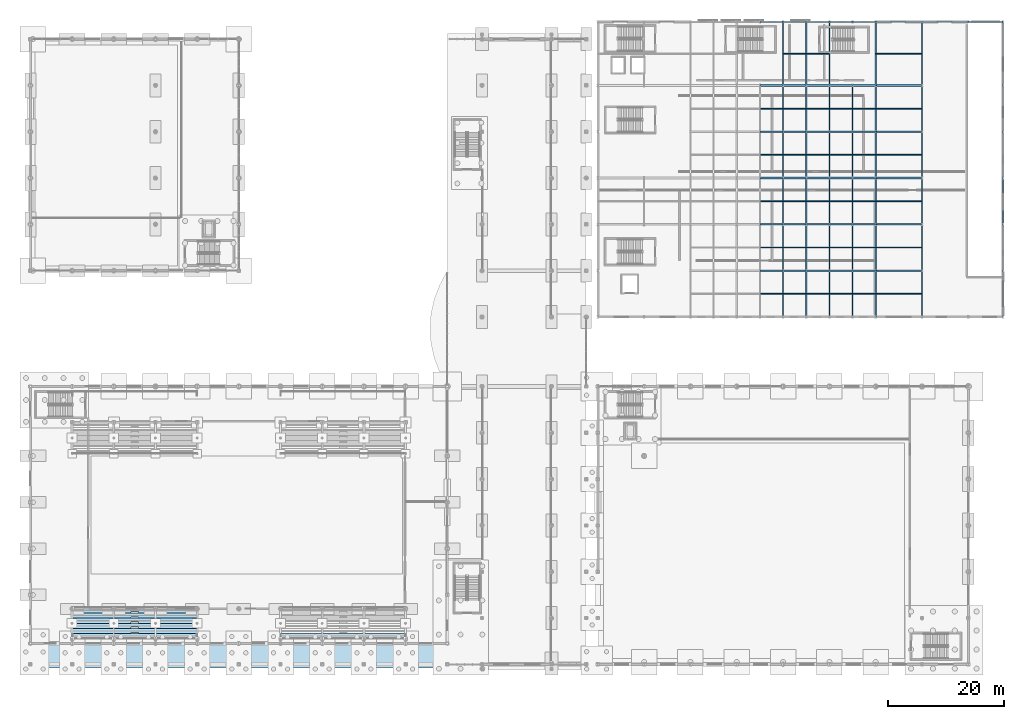
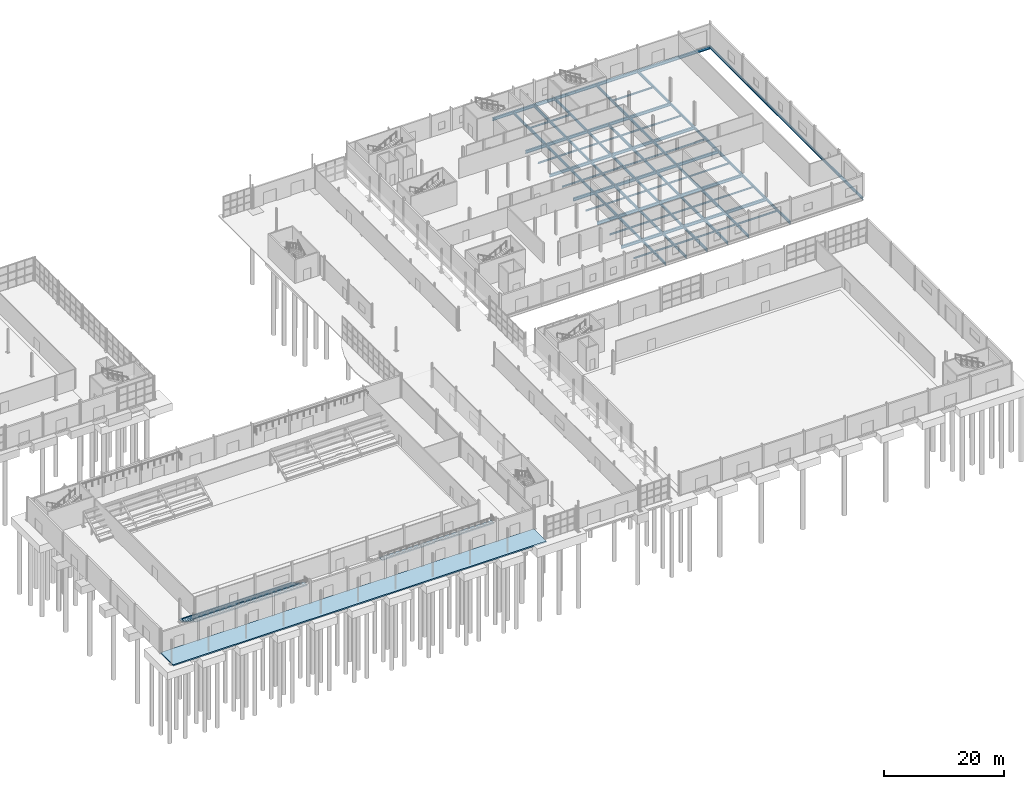
# One storey, part 62 of 101: 112 beams, 8 slabs.
"""IFC4 building model written with IfcOpenShell, lengths in metres."""

from ifc_helpers import new_model, si_unit, derived_unit, direction, frame, origin, origin_2d, place, context, subcontext, project, spatial, polyline, i_section, outline, extrude, material, layer, layer_set, material_profile, profile_set, type_object, element, save


model = new_model("IFC4")

# Units and contexts
model_context = context("Model", 3, precision=1e-05, world=origin(), true_north=direction((0.0, 1.0)))
body_context = subcontext(model_context, "Body", "Model", "MODEL_VIEW")
ifc_project = project(units=[si_unit("LENGTHUNIT", "METRE"), si_unit("AREAUNIT", "SQUARE_METRE"), si_unit("VOLUMEUNIT", "CUBIC_METRE"), si_unit("PLANEANGLEUNIT", "RADIAN"), si_unit("MASSUNIT", "GRAM", prefix="KILO"), derived_unit("THERMALTRANSMITTANCEUNIT", [(si_unit("POWERUNIT", "WATT"), 1), (si_unit("LENGTHUNIT", "METRE"), -2), (si_unit("THERMODYNAMICTEMPERATUREUNIT", "KELVIN"), -1)])], contexts=[model_context])

# Site, building, storey
site_placement = place(None, origin())
site = spatial("IfcSite", under=ifc_project, at=site_placement, CompositionType="ELEMENT")
building_placement = place(site_placement, origin())
building = spatial("IfcBuilding", under=site, at=building_placement, Name="Keldorne Ridge Multi-Sports Centre", CompositionType="ELEMENT")
storey_placement = place(building_placement, origin())
storey = spatial("IfcBuildingStorey", under=building, at=storey_placement, Name="L00", CompositionType="ELEMENT", Elevation=0.0)

# Beams
ifc_material_1 = material(Name="Steel S355", Category="steel")
ifc_material_profile_1 = material_profile(ifc_material_1, i_section(OverallWidth=0.2099609375, OverallDepth=0.550048828125, WebThickness=0.010986328125, FlangeThickness=0.01708984375, FilletRadius=0.02392578125, at=origin_2d()), Name="IPE 550")
ifc_profile_set_1 = profile_set([ifc_material_profile_1], Name="Steel S355")
beam_type_1 = type_object("IfcBeamType", Name="BM-B-01", PredefinedType="BEAM", material=ifc_profile_set_1)
for number, where, z_axis, x_axis, name in (
    (1, (136.0, 66.0, -0.544921875), (0.0, 1.0, 0.0), (-1.0, 0.0, 0.0), "L00 primary girder 136.1"),
    (2, (136.0, 74.0, -0.544921875), (0.0, 1.0, 0.0), (-1.0, 0.0, 0.0), "L00 primary girder 136.2"),
    (3, (136.0, 82.0, -0.544921875), (0.0, 1.0, 0.0), (-1.0, 0.0, 0.0), "L00 primary girder 136.3"),
    (4, (136.0, 90.0, -0.544921875), (0.0, 1.0, 0.0), (-1.0, 0.0, 0.0), "L00 primary girder 136.4"),
    (5, (136.0, 98.0, -0.544921875), (0.0, 1.0, 0.0), (-1.0, 0.0, 0.0), "L00 primary girder 136.5"),
):
    element("IfcBeam", number, at=place(storey_placement, frame(where, z_axis=z_axis, x_axis=x_axis)), inside=storey, type_object=beam_type_1, Name=name, PredefinedType="BEAM", context=body_context, shape_type="SweptSolid", body=[
        extrude(i_section(OverallWidth=0.2099609375, OverallDepth=0.550048828125, WebThickness=0.010986328125, FlangeThickness=0.01708984375, FilletRadius=0.02392578125, at=origin_2d()), origin(), (0.0, 0.0, 1.0), 8.0),
    ])
beam_1_placement = place(storey_placement, frame((136.0, 106.0, -0.544921875), z_axis=(0.0, 1.0, 0.0), x_axis=(-1.0, 0.0, 0.0)))
element("IfcBeam", 6, at=beam_1_placement, inside=storey, type_object=beam_type_1, Name="L00 primary girder 136.6", PredefinedType="BEAM", context=body_context, shape_type="SweptSolid", body=[
    extrude(i_section(OverallWidth=0.2099609375, OverallDepth=0.550048828125, WebThickness=0.010986328125, FlangeThickness=0.01708984375, FilletRadius=0.02392578125, at=origin_2d()), origin(), (0.0, 0.0, 1.0), 11.0),
])
for number, where, z_axis, x_axis, name in (
    (7, (140.0, 66.0, -0.544921875), (0.0, 1.0, 0.0), (-1.0, 0.0, 0.0), "L00 primary girder 140.1"),
    (8, (140.0, 74.0, -0.544921875), (0.0, 1.0, 0.0), (-1.0, 0.0, 0.0), "L00 primary girder 140.2"),
    (9, (140.0, 82.0, -0.544921875), (0.0, 1.0, 0.0), (-1.0, 0.0, 0.0), "L00 primary girder 140.3"),
    (10, (140.0, 90.0, -0.544921875), (0.0, 1.0, 0.0), (-1.0, 0.0, 0.0), "L00 primary girder 140.4"),
    (11, (140.0, 98.0, -0.544921875), (0.0, 1.0, 0.0), (-1.0, 0.0, 0.0), "L00 primary girder 140.5"),
):
    element("IfcBeam", number, at=place(storey_placement, frame(where, z_axis=z_axis, x_axis=x_axis)), inside=storey, type_object=beam_type_1, Name=name, PredefinedType="BEAM", context=body_context, shape_type="SweptSolid", body=[
        extrude(i_section(OverallWidth=0.2099609375, OverallDepth=0.550048828125, WebThickness=0.010986328125, FlangeThickness=0.01708984375, FilletRadius=0.02392578125, at=origin_2d()), origin(), (0.0, 0.0, 1.0), 8.0),
    ])
beam_2_placement = place(storey_placement, frame((140.0, 106.0, -0.544921875), z_axis=(0.0, 1.0, 0.0), x_axis=(-1.0, 0.0, 0.0)))
element("IfcBeam", 12, at=beam_2_placement, inside=storey, type_object=beam_type_1, Name="L00 primary girder 140.6", PredefinedType="BEAM", context=body_context, shape_type="SweptSolid", body=[
    extrude(i_section(OverallWidth=0.2099609375, OverallDepth=0.550048828125, WebThickness=0.010986328125, FlangeThickness=0.01708984375, FilletRadius=0.02392578125, at=origin_2d()), origin(), (0.0, 0.0, 1.0), 11.0),
])
for number, where, z_axis, x_axis, name in (
    (13, (144.0, 66.0, -0.544921875), (0.0, 1.0, 0.0), (-1.0, 0.0, 0.0), "L00 primary girder 144.1"),
    (14, (144.0, 74.0, -0.544921875), (0.0, 1.0, 0.0), (-1.0, 0.0, 0.0), "L00 primary girder 144.2"),
    (15, (144.0, 82.0, -0.544921875), (0.0, 1.0, 0.0), (-1.0, 0.0, 0.0), "L00 primary girder 144.3"),
    (16, (144.0, 90.0, -0.544921875), (0.0, 1.0, 0.0), (-1.0, 0.0, 0.0), "L00 primary girder 144.4"),
    (17, (144.0, 98.0, -0.544921875), (0.0, 1.0, 0.0), (-1.0, 0.0, 0.0), "L00 primary girder 144.5"),
):
    element("IfcBeam", number, at=place(storey_placement, frame(where, z_axis=z_axis, x_axis=x_axis)), inside=storey, type_object=beam_type_1, Name=name, PredefinedType="BEAM", context=body_context, shape_type="SweptSolid", body=[
        extrude(i_section(OverallWidth=0.2099609375, OverallDepth=0.550048828125, WebThickness=0.010986328125, FlangeThickness=0.01708984375, FilletRadius=0.02392578125, at=origin_2d()), origin(), (0.0, 0.0, 1.0), 8.0),
    ])
beam_3_placement = place(storey_placement, frame((144.0, 106.0, -0.544921875), z_axis=(0.0, 1.0, 0.0), x_axis=(-1.0, 0.0, 0.0)))
element("IfcBeam", 18, at=beam_3_placement, inside=storey, type_object=beam_type_1, Name="L00 primary girder 144.6", PredefinedType="BEAM", context=body_context, shape_type="SweptSolid", body=[
    extrude(i_section(OverallWidth=0.2099609375, OverallDepth=0.550048828125, WebThickness=0.010986328125, FlangeThickness=0.01708984375, FilletRadius=0.02392578125, at=origin_2d()), origin(), (0.0, 0.0, 1.0), 11.0),
])
for number, where, z_axis, x_axis, name in (
    (19, (148.0, 66.0, -0.544921875), (0.0, 1.0, 0.0), (-1.0, 0.0, 0.0), "L00 primary girder 148.1"),
    (20, (148.0, 74.0, -0.544921875), (0.0, 1.0, 0.0), (-1.0, 0.0, 0.0), "L00 primary girder 148.2"),
    (21, (148.0, 82.0, -0.544921875), (0.0, 1.0, 0.0), (-1.0, 0.0, 0.0), "L00 primary girder 148.3"),
    (22, (148.0, 90.0, -0.544921875), (0.0, 1.0, 0.0), (-1.0, 0.0, 0.0), "L00 primary girder 148.4"),
    (23, (148.0, 98.0, -0.544921875), (0.0, 1.0, 0.0), (-1.0, 0.0, 0.0), "L00 primary girder 148.5"),
    (24, (152.0, 66.0, -0.544921875), (0.0, 1.0, 0.0), (-1.0, 0.0, 0.0), "L00 primary girder 152.1"),
    (25, (152.0, 74.0, -0.544921875), (0.0, 1.0, 0.0), (-1.0, 0.0, 0.0), "L00 primary girder 152.2"),
    (26, (152.0, 82.0, -0.544921875), (0.0, 1.0, 0.0), (-1.0, 0.0, 0.0), "L00 primary girder 152.3"),
    (27, (152.0, 90.0, -0.544921875), (0.0, 1.0, 0.0), (-1.0, 0.0, 0.0), "L00 primary girder 152.4"),
    (28, (152.0, 98.0, -0.544921875), (0.0, 1.0, 0.0), (-1.0, 0.0, 0.0), "L00 primary girder 152.5"),
):
    element("IfcBeam", number, at=place(storey_placement, frame(where, z_axis=z_axis, x_axis=x_axis)), inside=storey, type_object=beam_type_1, Name=name, PredefinedType="BEAM", context=body_context, shape_type="SweptSolid", body=[
        extrude(i_section(OverallWidth=0.2099609375, OverallDepth=0.550048828125, WebThickness=0.010986328125, FlangeThickness=0.01708984375, FilletRadius=0.02392578125, at=origin_2d()), origin(), (0.0, 0.0, 1.0), 8.0),
    ])
beam_4_placement = place(storey_placement, frame((152.0, 106.0, -0.544921875), z_axis=(0.0, 1.0, 0.0), x_axis=(-1.0, 0.0, 0.0)))
element("IfcBeam", 29, at=beam_4_placement, inside=storey, type_object=beam_type_1, Name="L00 primary girder 152.6", PredefinedType="BEAM", context=body_context, shape_type="SweptSolid", body=[
    extrude(i_section(OverallWidth=0.2099609375, OverallDepth=0.550048828125, WebThickness=0.010986328125, FlangeThickness=0.01708984375, FilletRadius=0.02392578125, at=origin_2d()), origin(), (0.0, 0.0, 1.0), 11.0),
])
for number, where, z_axis, x_axis, name in (
    (30, (160.0, 66.0, -0.544921875), (0.0, 1.0, 0.0), (-1.0, 0.0, 0.0), "L00 primary girder 160.1"),
    (31, (160.0, 74.0, -0.544921875), (0.0, 1.0, 0.0), (-1.0, 0.0, 0.0), "L00 primary girder 160.2"),
    (32, (160.0, 82.0, -0.544921875), (0.0, 1.0, 0.0), (-1.0, 0.0, 0.0), "L00 primary girder 160.3"),
    (33, (160.0, 90.0, -0.544921875), (0.0, 1.0, 0.0), (-1.0, 0.0, 0.0), "L00 primary girder 160.4"),
    (34, (160.0, 98.0, -0.544921875), (0.0, 1.0, 0.0), (-1.0, 0.0, 0.0), "L00 primary girder 160.5"),
):
    element("IfcBeam", number, at=place(storey_placement, frame(where, z_axis=z_axis, x_axis=x_axis)), inside=storey, type_object=beam_type_1, Name=name, PredefinedType="BEAM", context=body_context, shape_type="SweptSolid", body=[
        extrude(i_section(OverallWidth=0.2099609375, OverallDepth=0.550048828125, WebThickness=0.010986328125, FlangeThickness=0.01708984375, FilletRadius=0.02392578125, at=origin_2d()), origin(), (0.0, 0.0, 1.0), 8.0),
    ])
beam_5_placement = place(storey_placement, frame((160.0, 106.0, -0.544921875), z_axis=(0.0, 1.0, 0.0), x_axis=(-1.0, 0.0, 0.0)))
element("IfcBeam", 35, at=beam_5_placement, inside=storey, type_object=beam_type_1, Name="L00 primary girder 160.6", PredefinedType="BEAM", context=body_context, shape_type="SweptSolid", body=[
    extrude(i_section(OverallWidth=0.2099609375, OverallDepth=0.550048828125, WebThickness=0.010986328125, FlangeThickness=0.01708984375, FilletRadius=0.02392578125, at=origin_2d()), origin(), (0.0, 0.0, 1.0), 11.0),
])
for number, where, z_axis, x_axis, name in (
    (36, (174.0, 66.0, -0.544921875), (0.0, 1.0, 0.0), (-1.0, 0.0, 0.0), "L00 primary girder 174.1"),
    (37, (174.0, 74.0, -0.544921875), (0.0, 1.0, 0.0), (-1.0, 0.0, 0.0), "L00 primary girder 174.2"),
    (38, (174.0, 82.0, -0.544921875), (0.0, 1.0, 0.0), (-1.0, 0.0, 0.0), "L00 primary girder 174.3"),
    (39, (174.0, 90.0, -0.544921875), (0.0, 1.0, 0.0), (-1.0, 0.0, 0.0), "L00 primary girder 174.4"),
    (40, (174.0, 98.0, -0.544921875), (0.0, 1.0, 0.0), (-1.0, 0.0, 0.0), "L00 primary girder 174.5"),
):
    element("IfcBeam", number, at=place(storey_placement, frame(where, z_axis=z_axis, x_axis=x_axis)), inside=storey, type_object=beam_type_1, Name=name, PredefinedType="BEAM", context=body_context, shape_type="SweptSolid", body=[
        extrude(i_section(OverallWidth=0.2099609375, OverallDepth=0.550048828125, WebThickness=0.010986328125, FlangeThickness=0.01708984375, FilletRadius=0.02392578125, at=origin_2d()), origin(), (0.0, 0.0, 1.0), 8.0),
    ])
beam_6_placement = place(storey_placement, frame((174.0, 106.0, -0.544921875), z_axis=(0.0, 1.0, 0.0), x_axis=(-1.0, 0.0, 0.0)))
element("IfcBeam", 41, at=beam_6_placement, inside=storey, type_object=beam_type_1, Name="L00 primary girder 174.6", PredefinedType="BEAM", context=body_context, shape_type="SweptSolid", body=[
    extrude(i_section(OverallWidth=0.2099609375, OverallDepth=0.550048828125, WebThickness=0.010986328125, FlangeThickness=0.01708984375, FilletRadius=0.02392578125, at=origin_2d()), origin(), (0.0, 0.0, 1.0), 11.0),
])
ifc_material_profile_2 = material_profile(ifc_material_1, i_section(OverallWidth=0.300048828125, OverallDepth=0.590087890625, WebThickness=0.012939453125, FlangeThickness=0.02490234375, FilletRadius=0.027099609375, at=origin_2d()), Name="HEA 600")
ifc_profile_set_2 = profile_set([ifc_material_profile_2], Name="Steel S355")
beam_type_2 = type_object("IfcBeamType", Name="BM-B-06", PredefinedType="BEAM", material=ifc_profile_set_2)
for number, where, z_axis, x_axis, name in (
    (42, (132.0, 74.0, -0.56494140625), (1.0, 0.0, 0.0), (0.0, 1.0, 0.0), "L00 primary beam 6.74"),
    (43, (136.0, 74.0, -0.56494140625), (1.0, 0.0, 0.0), (0.0, 1.0, 0.0), "L00 primary beam 7.74"),
    (44, (140.0, 74.0, -0.56494140625), (1.0, 0.0, 0.0), (0.0, 1.0, 0.0), "L00 primary beam 8.74"),
    (45, (144.0, 74.0, -0.56494140625), (1.0, 0.0, 0.0), (0.0, 1.0, 0.0), "L00 primary beam 9.74"),
    (46, (148.0, 74.0, -0.56494140625), (1.0, 0.0, 0.0), (0.0, 1.0, 0.0), "L00 primary beam 10.74"),
):
    element("IfcBeam", number, at=place(storey_placement, frame(where, z_axis=z_axis, x_axis=x_axis)), inside=storey, type_object=beam_type_2, Name=name, PredefinedType="BEAM", context=body_context, shape_type="SweptSolid", body=[
        extrude(i_section(OverallWidth=0.300048828125, OverallDepth=0.590087890625, WebThickness=0.012939453125, FlangeThickness=0.02490234375, FilletRadius=0.027099609375, at=origin_2d()), origin(), (0.0, 0.0, 1.0), 4.0),
    ])
beam_7_placement = place(storey_placement, frame((152.0, 74.0, -0.56494140625), z_axis=(1.0, 0.0, 0.0), x_axis=(0.0, 1.0, 0.0)))
element("IfcBeam", 47, at=beam_7_placement, inside=storey, type_object=beam_type_2, Name="L00 primary beam 11.74", PredefinedType="BEAM", context=body_context, shape_type="SweptSolid", body=[
    extrude(i_section(OverallWidth=0.300048828125, OverallDepth=0.590087890625, WebThickness=0.012939453125, FlangeThickness=0.02490234375, FilletRadius=0.027099609375, at=origin_2d()), origin(), (0.0, 0.0, 1.0), 8.0),
])
for number, where, z_axis, x_axis, name in (
    (48, (132.0, 82.0, -0.56494140625), (1.0, 0.0, 0.0), (0.0, 1.0, 0.0), "L00 primary beam 6.82"),
    (49, (136.0, 82.0, -0.56494140625), (1.0, 0.0, 0.0), (0.0, 1.0, 0.0), "L00 primary beam 7.82"),
    (50, (140.0, 82.0, -0.56494140625), (1.0, 0.0, 0.0), (0.0, 1.0, 0.0), "L00 primary beam 8.82"),
    (51, (144.0, 82.0, -0.56494140625), (1.0, 0.0, 0.0), (0.0, 1.0, 0.0), "L00 primary beam 9.82"),
    (52, (148.0, 82.0, -0.56494140625), (1.0, 0.0, 0.0), (0.0, 1.0, 0.0), "L00 primary beam 10.82"),
):
    element("IfcBeam", number, at=place(storey_placement, frame(where, z_axis=z_axis, x_axis=x_axis)), inside=storey, type_object=beam_type_2, Name=name, PredefinedType="BEAM", context=body_context, shape_type="SweptSolid", body=[
        extrude(i_section(OverallWidth=0.300048828125, OverallDepth=0.590087890625, WebThickness=0.012939453125, FlangeThickness=0.02490234375, FilletRadius=0.027099609375, at=origin_2d()), origin(), (0.0, 0.0, 1.0), 4.0),
    ])
beam_8_placement = place(storey_placement, frame((152.0, 82.0, -0.56494140625), z_axis=(1.0, 0.0, 0.0), x_axis=(0.0, 1.0, 0.0)))
element("IfcBeam", 53, at=beam_8_placement, inside=storey, type_object=beam_type_2, Name="L00 primary beam 11.82", PredefinedType="BEAM", context=body_context, shape_type="SweptSolid", body=[
    extrude(i_section(OverallWidth=0.300048828125, OverallDepth=0.590087890625, WebThickness=0.012939453125, FlangeThickness=0.02490234375, FilletRadius=0.027099609375, at=origin_2d()), origin(), (0.0, 0.0, 1.0), 8.0),
])
for number, where, z_axis, x_axis, name in (
    (54, (132.0, 90.0, -0.56494140625), (1.0, 0.0, 0.0), (0.0, 1.0, 0.0), "L00 primary beam 6.90"),
    (55, (136.0, 90.0, -0.56494140625), (1.0, 0.0, 0.0), (0.0, 1.0, 0.0), "L00 primary beam 7.90"),
    (56, (140.0, 90.0, -0.56494140625), (1.0, 0.0, 0.0), (0.0, 1.0, 0.0), "L00 primary beam 8.90"),
    (57, (144.0, 90.0, -0.56494140625), (1.0, 0.0, 0.0), (0.0, 1.0, 0.0), "L00 primary beam 9.90"),
    (58, (148.0, 90.0, -0.56494140625), (1.0, 0.0, 0.0), (0.0, 1.0, 0.0), "L00 primary beam 10.90"),
):
    element("IfcBeam", number, at=place(storey_placement, frame(where, z_axis=z_axis, x_axis=x_axis)), inside=storey, type_object=beam_type_2, Name=name, PredefinedType="BEAM", context=body_context, shape_type="SweptSolid", body=[
        extrude(i_section(OverallWidth=0.300048828125, OverallDepth=0.590087890625, WebThickness=0.012939453125, FlangeThickness=0.02490234375, FilletRadius=0.027099609375, at=origin_2d()), origin(), (0.0, 0.0, 1.0), 4.0),
    ])
beam_9_placement = place(storey_placement, frame((152.0, 90.0, -0.56494140625), z_axis=(1.0, 0.0, 0.0), x_axis=(0.0, 1.0, 0.0)))
element("IfcBeam", 59, at=beam_9_placement, inside=storey, type_object=beam_type_2, Name="L00 primary beam 11.90", PredefinedType="BEAM", context=body_context, shape_type="SweptSolid", body=[
    extrude(i_section(OverallWidth=0.300048828125, OverallDepth=0.590087890625, WebThickness=0.012939453125, FlangeThickness=0.02490234375, FilletRadius=0.027099609375, at=origin_2d()), origin(), (0.0, 0.0, 1.0), 8.0),
])
for number, where, z_axis, x_axis, name in (
    (60, (132.0, 98.0, -0.56494140625), (1.0, 0.0, 0.0), (0.0, 1.0, 0.0), "L00 primary beam 6.98"),
    (61, (136.0, 98.0, -0.56494140625), (1.0, 0.0, 0.0), (0.0, 1.0, 0.0), "L00 primary beam 7.98"),
    (62, (140.0, 98.0, -0.56494140625), (1.0, 0.0, 0.0), (0.0, 1.0, 0.0), "L00 primary beam 8.98"),
    (63, (144.0, 98.0, -0.56494140625), (1.0, 0.0, 0.0), (0.0, 1.0, 0.0), "L00 primary beam 9.98"),
    (64, (148.0, 98.0, -0.56494140625), (1.0, 0.0, 0.0), (0.0, 1.0, 0.0), "L00 primary beam 10.98"),
):
    element("IfcBeam", number, at=place(storey_placement, frame(where, z_axis=z_axis, x_axis=x_axis)), inside=storey, type_object=beam_type_2, Name=name, PredefinedType="BEAM", context=body_context, shape_type="SweptSolid", body=[
        extrude(i_section(OverallWidth=0.300048828125, OverallDepth=0.590087890625, WebThickness=0.012939453125, FlangeThickness=0.02490234375, FilletRadius=0.027099609375, at=origin_2d()), origin(), (0.0, 0.0, 1.0), 4.0),
    ])
beam_10_placement = place(storey_placement, frame((152.0, 98.0, -0.56494140625), z_axis=(1.0, 0.0, 0.0), x_axis=(0.0, 1.0, 0.0)))
element("IfcBeam", 65, at=beam_10_placement, inside=storey, type_object=beam_type_2, Name="L00 primary beam 11.98", PredefinedType="BEAM", context=body_context, shape_type="SweptSolid", body=[
    extrude(i_section(OverallWidth=0.300048828125, OverallDepth=0.590087890625, WebThickness=0.012939453125, FlangeThickness=0.02490234375, FilletRadius=0.027099609375, at=origin_2d()), origin(), (0.0, 0.0, 1.0), 8.0),
])
for number, where, z_axis, x_axis, name in (
    (66, (132.0, 106.0, -0.56494140625), (1.0, 0.0, 0.0), (0.0, 1.0, 0.0), "L00 primary beam 6.106"),
    (67, (136.0, 106.0, -0.56494140625), (1.0, 0.0, 0.0), (0.0, 1.0, 0.0), "L00 primary beam 7.106"),
    (68, (140.0, 106.0, -0.56494140625), (1.0, 0.0, 0.0), (0.0, 1.0, 0.0), "L00 primary beam 8.106"),
    (69, (144.0, 106.0, -0.56494140625), (1.0, 0.0, 0.0), (0.0, 1.0, 0.0), "L00 primary beam 9.106"),
    (70, (148.0, 106.0, -0.56494140625), (1.0, 0.0, 0.0), (0.0, 1.0, 0.0), "L00 primary beam 10.106"),
):
    element("IfcBeam", number, at=place(storey_placement, frame(where, z_axis=z_axis, x_axis=x_axis)), inside=storey, type_object=beam_type_2, Name=name, PredefinedType="BEAM", context=body_context, shape_type="SweptSolid", body=[
        extrude(i_section(OverallWidth=0.300048828125, OverallDepth=0.590087890625, WebThickness=0.012939453125, FlangeThickness=0.02490234375, FilletRadius=0.027099609375, at=origin_2d()), origin(), (0.0, 0.0, 1.0), 4.0),
    ])
beam_11_placement = place(storey_placement, frame((152.0, 106.0, -0.56494140625), z_axis=(1.0, 0.0, 0.0), x_axis=(0.0, 1.0, 0.0)))
element("IfcBeam", 71, at=beam_11_placement, inside=storey, type_object=beam_type_2, Name="L00 primary beam 11.106", PredefinedType="BEAM", context=body_context, shape_type="SweptSolid", body=[
    extrude(i_section(OverallWidth=0.300048828125, OverallDepth=0.590087890625, WebThickness=0.012939453125, FlangeThickness=0.02490234375, FilletRadius=0.027099609375, at=origin_2d()), origin(), (0.0, 0.0, 1.0), 8.0),
])
for number, where, z_axis, x_axis, name in (
    (72, (132.0, 117.0, -0.56494140625), (1.0, 0.0, 0.0), (0.0, 1.0, 0.0), "L00 primary beam 6.117"),
    (73, (136.0, 117.0, -0.56494140625), (1.0, 0.0, 0.0), (0.0, 1.0, 0.0), "L00 primary beam 7.117"),
    (74, (140.0, 117.0, -0.56494140625), (1.0, 0.0, 0.0), (0.0, 1.0, 0.0), "L00 primary beam 8.117"),
    (75, (144.0, 117.0, -0.56494140625), (1.0, 0.0, 0.0), (0.0, 1.0, 0.0), "L00 primary beam 9.117"),
    (76, (148.0, 117.0, -0.56494140625), (1.0, 0.0, 0.0), (0.0, 1.0, 0.0), "L00 primary beam 10.117"),
):
    element("IfcBeam", number, at=place(storey_placement, frame(where, z_axis=z_axis, x_axis=x_axis)), inside=storey, type_object=beam_type_2, Name=name, PredefinedType="BEAM", context=body_context, shape_type="SweptSolid", body=[
        extrude(i_section(OverallWidth=0.300048828125, OverallDepth=0.590087890625, WebThickness=0.012939453125, FlangeThickness=0.02490234375, FilletRadius=0.027099609375, at=origin_2d()), origin(), (0.0, 0.0, 1.0), 4.0),
    ])
for number, where, z_axis, x_axis, name in (
    (77, (152.0, 117.0, -0.56494140625), (1.0, 0.0, 0.0), (0.0, 1.0, 0.0), "L00 primary beam 11.117"),
    (78, (160.0, 117.0, -0.56494140625), (1.0, 0.0, 0.0), (0.0, 1.0, 0.0), "L00 primary beam 12.117"),
):
    element("IfcBeam", number, at=place(storey_placement, frame(where, z_axis=z_axis, x_axis=x_axis)), inside=storey, type_object=beam_type_2, Name=name, PredefinedType="BEAM", context=body_context, shape_type="SweptSolid", body=[
        extrude(i_section(OverallWidth=0.300048828125, OverallDepth=0.590087890625, WebThickness=0.012939453125, FlangeThickness=0.02490234375, FilletRadius=0.027099609375, at=origin_2d()), origin(), (0.0, 0.0, 1.0), 8.0),
    ])
beam_12_placement = place(storey_placement, frame((168.0, 117.0, -0.56494140625), z_axis=(1.0, 0.0, 0.0), x_axis=(0.0, 1.0, 0.0)))
element("IfcBeam", 79, at=beam_12_placement, inside=storey, type_object=beam_type_2, Name="L00 primary beam 13.117", PredefinedType="BEAM", context=body_context, shape_type="SweptSolid", body=[
    extrude(i_section(OverallWidth=0.300048828125, OverallDepth=0.590087890625, WebThickness=0.012939453125, FlangeThickness=0.02490234375, FilletRadius=0.027099609375, at=origin_2d()), origin(), (0.0, 0.0, 1.0), 6.0),
])
ifc_material_profile_3 = material_profile(ifc_material_1, i_section(OverallWidth=0.159912109375, OverallDepth=0.330078125, WebThickness=0.007568359375, FlangeThickness=0.011474609375, FilletRadius=0.01806640625, at=origin_2d()), Name="IPE 330")
ifc_profile_set_3 = profile_set([ifc_material_profile_3], Name="Steel S355")
beam_type_3 = type_object("IfcBeamType", Name="BM-J-01", PredefinedType="JOIST", material=ifc_profile_set_3)
for number, where, z_axis, x_axis, name in (
    (80, (132.10498046875, 70.0, -0.43505859375), (1.0, 0.0, 0.0), (0.0, 1.0, 0.0), "L00 secondary joist 6.1"),
    (81, (132.10498046875, 78.0, -0.43505859375), (1.0, 0.0, 0.0), (0.0, 1.0, 0.0), "L00 secondary joist 6.2"),
    (82, (132.10498046875, 86.0, -0.43505859375), (1.0, 0.0, 0.0), (0.0, 1.0, 0.0), "L00 secondary joist 6.3"),
    (83, (132.10498046875, 94.0, -0.43505859375), (1.0, 0.0, 0.0), (0.0, 1.0, 0.0), "L00 secondary joist 6.4"),
    (84, (132.10498046875, 102.0, -0.43505859375), (1.0, 0.0, 0.0), (0.0, 1.0, 0.0), "L00 secondary joist 6.5"),
    (85, (136.10498046875, 70.0, -0.43505859375), (1.0, 0.0, 0.0), (0.0, 1.0, 0.0), "L00 secondary joist 7.1"),
    (86, (136.10498046875, 78.0, -0.43505859375), (1.0, 0.0, 0.0), (0.0, 1.0, 0.0), "L00 secondary joist 7.2"),
    (87, (136.10498046875, 86.0, -0.43505859375), (1.0, 0.0, 0.0), (0.0, 1.0, 0.0), "L00 secondary joist 7.3"),
    (88, (136.10498046875, 94.0, -0.43505859375), (1.0, 0.0, 0.0), (0.0, 1.0, 0.0), "L00 secondary joist 7.4"),
    (89, (136.10498046875, 102.0, -0.43505859375), (1.0, 0.0, 0.0), (0.0, 1.0, 0.0), "L00 secondary joist 7.5"),
    (90, (136.10498046875, 111.5, -0.43505859375), (1.0, 0.0, 0.0), (0.0, 1.0, 0.0), "L00 secondary joist 7.6"),
    (91, (140.10498046875, 70.0, -0.43505859375), (1.0, 0.0, 0.0), (0.0, 1.0, 0.0), "L00 secondary joist 8.1"),
    (92, (140.10498046875, 78.0, -0.43505859375), (1.0, 0.0, 0.0), (0.0, 1.0, 0.0), "L00 secondary joist 8.2"),
    (93, (140.10498046875, 86.0, -0.43505859375), (1.0, 0.0, 0.0), (0.0, 1.0, 0.0), "L00 secondary joist 8.3"),
    (94, (140.10498046875, 94.0, -0.43505859375), (1.0, 0.0, 0.0), (0.0, 1.0, 0.0), "L00 secondary joist 8.4"),
    (95, (140.10498046875, 102.0, -0.43505859375), (1.0, 0.0, 0.0), (0.0, 1.0, 0.0), "L00 secondary joist 8.5"),
    (96, (140.10498046875, 111.5, -0.43505859375), (1.0, 0.0, 0.0), (0.0, 1.0, 0.0), "L00 secondary joist 8.6"),
    (97, (144.10498046875, 70.0, -0.43505859375), (1.0, 0.0, 0.0), (0.0, 1.0, 0.0), "L00 secondary joist 9.1"),
    (98, (144.10498046875, 78.0, -0.43505859375), (1.0, 0.0, 0.0), (0.0, 1.0, 0.0), "L00 secondary joist 9.2"),
    (99, (144.10498046875, 86.0, -0.43505859375), (1.0, 0.0, 0.0), (0.0, 1.0, 0.0), "L00 secondary joist 9.3"),
    (100, (144.10498046875, 94.0, -0.43505859375), (1.0, 0.0, 0.0), (0.0, 1.0, 0.0), "L00 secondary joist 9.4"),
    (101, (144.10498046875, 102.0, -0.43505859375), (1.0, 0.0, 0.0), (0.0, 1.0, 0.0), "L00 secondary joist 9.5"),
    (102, (148.10498046875, 70.0, -0.43505859375), (1.0, 0.0, 0.0), (0.0, 1.0, 0.0), "L00 secondary joist 10.1"),
    (103, (148.10498046875, 78.0, -0.43505859375), (1.0, 0.0, 0.0), (0.0, 1.0, 0.0), "L00 secondary joist 10.2"),
    (104, (148.10498046875, 86.0, -0.43505859375), (1.0, 0.0, 0.0), (0.0, 1.0, 0.0), "L00 secondary joist 10.3"),
    (105, (148.10498046875, 94.0, -0.43505859375), (1.0, 0.0, 0.0), (0.0, 1.0, 0.0), "L00 secondary joist 10.4"),
    (106, (148.10498046875, 102.0, -0.43505859375), (1.0, 0.0, 0.0), (0.0, 1.0, 0.0), "L00 secondary joist 10.5"),
):
    element("IfcBeam", number, at=place(storey_placement, frame(where, z_axis=z_axis, x_axis=x_axis)), inside=storey, type_object=beam_type_3, Name=name, PredefinedType="JOIST", context=body_context, shape_type="SweptSolid", body=[
        extrude(i_section(OverallWidth=0.159912109375, OverallDepth=0.330078125, WebThickness=0.007568359375, FlangeThickness=0.011474609375, FilletRadius=0.01806640625, at=origin_2d()), origin(), (0.0, 0.0, 1.0), 3.7900390625),
    ])
for number, where, z_axis, x_axis, name in (
    (107, (152.10498046875, 70.0, -0.43505859375), (1.0, 0.0, 0.0), (0.0, 1.0, 0.0), "L00 secondary joist 11.1"),
    (108, (152.10498046875, 78.0, -0.43505859375), (1.0, 0.0, 0.0), (0.0, 1.0, 0.0), "L00 secondary joist 11.2"),
    (109, (152.10498046875, 86.0, -0.43505859375), (1.0, 0.0, 0.0), (0.0, 1.0, 0.0), "L00 secondary joist 11.3"),
    (110, (152.10498046875, 94.0, -0.43505859375), (1.0, 0.0, 0.0), (0.0, 1.0, 0.0), "L00 secondary joist 11.4"),
    (111, (152.10498046875, 102.0, -0.43505859375), (1.0, 0.0, 0.0), (0.0, 1.0, 0.0), "L00 secondary joist 11.5"),
    (112, (152.10498046875, 111.5, -0.43505859375), (1.0, 0.0, 0.0), (0.0, 1.0, 0.0), "L00 secondary joist 11.6"),
):
    element("IfcBeam", number, at=place(storey_placement, frame(where, z_axis=z_axis, x_axis=x_axis)), inside=storey, type_object=beam_type_3, Name=name, PredefinedType="JOIST", context=body_context, shape_type="SweptSolid", body=[
        extrude(i_section(OverallWidth=0.159912109375, OverallDepth=0.330078125, WebThickness=0.007568359375, FlangeThickness=0.011474609375, FilletRadius=0.01806640625, at=origin_2d()), origin(), (0.0, 0.0, 1.0), 7.7900390625),
    ])

# Slabs
ifc_layer_1 = layer(ifc_material_1, 0.169921875)
ifc_layer_set_1 = layer_set([ifc_layer_1], Name="Steel S355")
slab_type_1 = type_object("IfcSlabType", Name="SLB-SL-ST1", PredefinedType="USERDEFINED", material=ifc_layer_set_1)
slab_1_placement = place(storey_placement, frame((0.0, 0.0, 0.35009765625)))
element("IfcSlab", 113, at=slab_1_placement, inside=storey, type_object=slab_type_1, Name="South Telescopic Spectator Stand Tier W-1", ObjectType="SEATING TIER", PredefinedType="USERDEFINED", context=body_context, shape_type="SweptSolid", body=[
    extrude(outline(polyline([(13.199951171875, 14.89990234375), (23.35009765625, 14.89990234375), (23.35009765625, 15.1201171875), (24.64990234375, 15.1201171875), (24.64990234375, 14.89990234375), (34.800048828125, 14.89990234375), (34.800048828125, 15.800048828125), (13.199951171875, 15.800048828125), (13.199951171875, 14.89990234375)])), origin(), (0.0, 0.0, 1.0), 0.169921875),
])
slab_2_placement = place(storey_placement, frame((0.0, 0.0, 0.889892578125)))
element("IfcSlab", 114, at=slab_2_placement, inside=storey, type_object=slab_type_1, Name="South Telescopic Spectator Stand Tier W-2", ObjectType="SEATING TIER", PredefinedType="USERDEFINED", context=body_context, shape_type="SweptSolid", body=[
    extrude(outline(polyline([(13.199951171875, 14.0), (23.35009765625, 14.0), (23.35009765625, 14.219970703125), (24.64990234375, 14.219970703125), (24.64990234375, 14.0), (34.800048828125, 14.0), (34.800048828125, 14.89990234375), (13.199951171875, 14.89990234375), (13.199951171875, 14.0)])), origin(), (0.0, 0.0, 1.0), 0.170166015625),
])
slab_3_placement = place(storey_placement, frame((0.0, 0.0, 1.429931640625)))
element("IfcSlab", 115, at=slab_3_placement, inside=storey, type_object=slab_type_1, Name="South Telescopic Spectator Stand Tier W-3", ObjectType="SEATING TIER", PredefinedType="USERDEFINED", context=body_context, shape_type="SweptSolid", body=[
    extrude(outline(polyline([(13.199951171875, 13.10009765625), (23.35009765625, 13.10009765625), (23.35009765625, 13.320068359375), (24.64990234375, 13.320068359375), (24.64990234375, 13.10009765625), (34.800048828125, 13.10009765625), (34.800048828125, 14.0), (13.199951171875, 14.0), (13.199951171875, 13.10009765625)])), origin(), (0.0, 0.0, 1.0), 0.170166015625),
])
slab_4_placement = place(storey_placement, frame((0.0, 0.0, 1.969970703125)))
element("IfcSlab", 116, at=slab_4_placement, inside=storey, type_object=slab_type_1, Name="South Telescopic Spectator Stand Tier W-4", ObjectType="SEATING TIER", PredefinedType="USERDEFINED", context=body_context, shape_type="SweptSolid", body=[
    extrude(outline(polyline([(13.199951171875, 12.199951171875), (23.35009765625, 12.199951171875), (23.35009765625, 12.419921875), (24.64990234375, 12.419921875), (24.64990234375, 12.199951171875), (34.800048828125, 12.199951171875), (34.800048828125, 13.10009765625), (13.199951171875, 13.10009765625), (13.199951171875, 12.199951171875)])), origin(), (0.0, 0.0, 1.0), 0.169921875),
])
slab_5_placement = place(storey_placement, frame((0.0, 0.0, 2.510009765625)))
element("IfcSlab", 117, at=slab_5_placement, inside=storey, type_object=slab_type_1, Name="South Telescopic Spectator Stand Tier W-5", ObjectType="SEATING TIER", PredefinedType="USERDEFINED", context=body_context, shape_type="SweptSolid", body=[
    extrude(outline(polyline([(13.199951171875, 11.300048828125), (23.35009765625, 11.300048828125), (23.35009765625, 11.52001953125), (24.64990234375, 11.52001953125), (24.64990234375, 11.300048828125), (34.800048828125, 11.300048828125), (34.800048828125, 12.199951171875), (13.199951171875, 12.199951171875), (13.199951171875, 11.300048828125)])), origin(), (0.0, 0.0, 1.0), 0.169921875),
])
slab_6_placement = place(storey_placement, frame((0.0, 0.0, 3.050048828125)))
element("IfcSlab", 118, at=slab_6_placement, inside=storey, type_object=slab_type_1, Name="South Telescopic Spectator Stand Tier W-6", ObjectType="SEATING TIER", PredefinedType="USERDEFINED", context=body_context, shape_type="SweptSolid", body=[
    extrude(outline(polyline([(13.199951171875, 10.39990234375), (23.35009765625, 10.39990234375), (23.35009765625, 10.6201171875), (24.64990234375, 10.6201171875), (24.64990234375, 10.39990234375), (34.800048828125, 10.39990234375), (34.800048828125, 11.300048828125), (13.199951171875, 11.300048828125), (13.199951171875, 10.39990234375)])), origin(), (0.0, 0.0, 1.0), 0.169921875),
])
slab_7_placement = place(storey_placement, frame((0.0, 0.0, 3.050048828125)))
element("IfcSlab", 119, at=slab_7_placement, inside=storey, type_object=slab_type_1, Name="South Telescopic Spectator Stand Tier E-6", ObjectType="SEATING TIER", PredefinedType="USERDEFINED", context=body_context, shape_type="SweptSolid", body=[
    extrude(outline(polyline([(49.199951171875, 10.39990234375), (59.35009765625, 10.39990234375), (59.35009765625, 10.6201171875), (60.64990234375, 10.6201171875), (60.64990234375, 10.39990234375), (70.800048828125, 10.39990234375), (70.800048828125, 11.300048828125), (49.199951171875, 11.300048828125), (49.199951171875, 10.39990234375)])), origin(), (0.0, 0.0, 1.0), 0.169921875),
])
ifc_material_2 = material(Name="Concrete C35/45", Category="concrete")
ifc_layer_2 = layer(ifc_material_2, 0.260009765625)
ifc_layer_set_2 = layer_set([ifc_layer_2], Name="Concrete C35/45")
slab_type_2 = type_object("IfcSlabType", Name="SLB-SL-T01", PredefinedType="FLOOR", material=ifc_layer_set_2)
slab_8_placement = place(storey_placement, frame((0.0, 0.0, -0.260009765625)))
element("IfcSlab", 120, at=slab_8_placement, inside=storey, type_object=slab_type_2, Name="Ground South Colonnade apron", PredefinedType="FLOOR", context=body_context, shape_type="SweptSolid", body=[
    extrude(outline(polyline([(6.0, 5.39990234375), (78.0, 5.39990234375), (78.0, 9.60009765625), (6.0, 9.60009765625), (6.0, 5.39990234375)])), origin(), (0.0, 0.0, 1.0), 0.260009765625),
])

save(model, "model.ifc")
